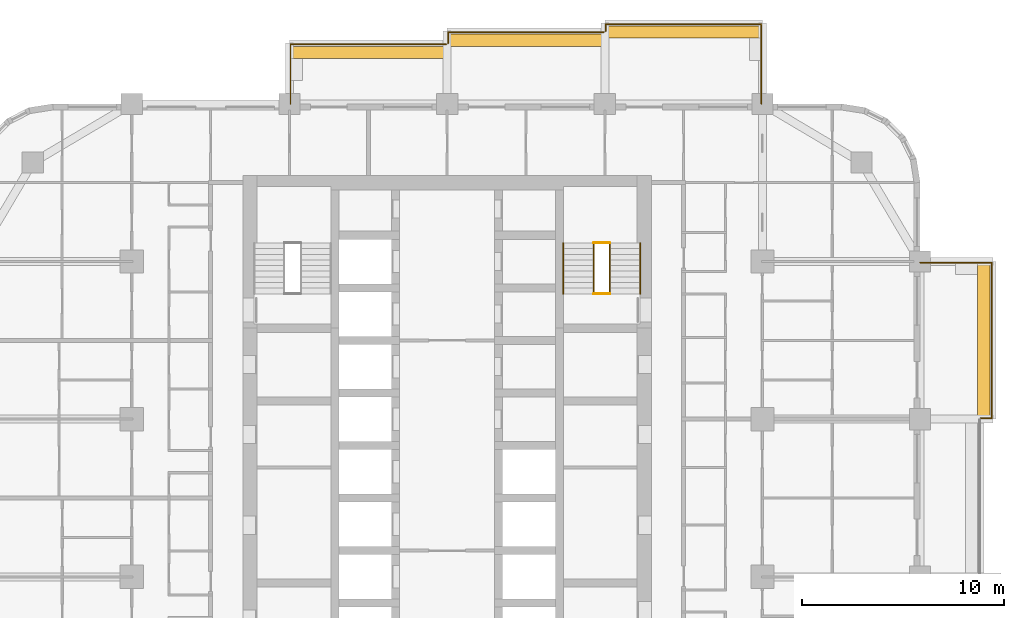
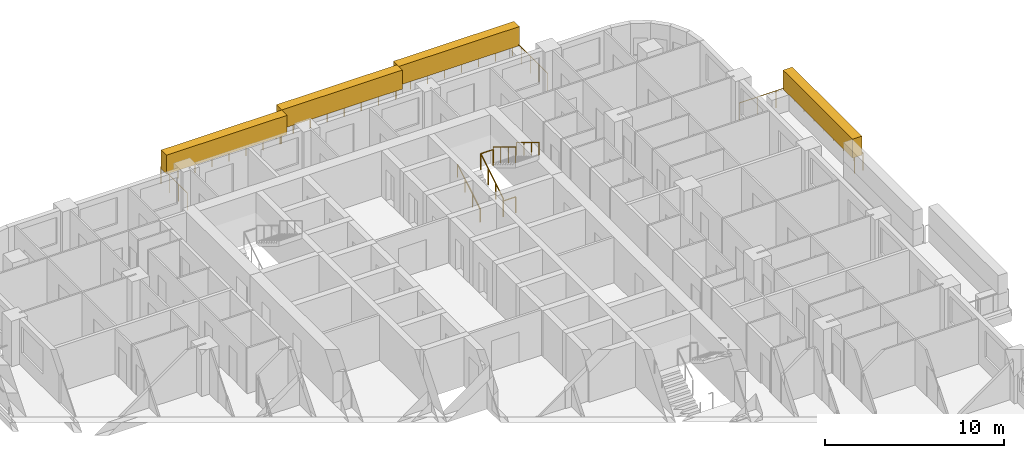
# One storey, part 17 of 17: 10 railings, 4 coverings, 1 element without a shape of its own.
"""IFC4 building model written with IfcOpenShell, lengths in metres."""

from ifc_helpers import new_model, si_unit, direction, frame, origin, origin_2d, place, context, subcontext, project, spatial, rectangle, circle, extrude, material, layer, layer_set, type_object, element, aggregate, save


model = new_model("IFC4")

# Units and contexts
model_context = context("Model", 3, precision=1e-05, world=origin(), true_north=direction((0.0, 1.0)))
body_context = subcontext(model_context, "Body", "Model", "MODEL_VIEW")
ifc_project = project(units=[si_unit("LENGTHUNIT", "METRE"), si_unit("AREAUNIT", "SQUARE_METRE"), si_unit("VOLUMEUNIT", "CUBIC_METRE"), si_unit("PLANEANGLEUNIT", "RADIAN"), si_unit("MASSUNIT", "GRAM", prefix="KILO")], contexts=[model_context])

# Site, building, storey
site_placement = place(None, origin())
site = spatial("IfcSite", under=ifc_project, at=site_placement, CompositionType="ELEMENT")
building_placement = place(site_placement, origin())
building = spatial("IfcBuilding", under=site, at=building_placement, Name="Ludao Terraces", CompositionType="ELEMENT")
storey_placement = place(building_placement, frame((0.0, 0.0, 43.300048828125)))
storey = spatial("IfcBuildingStorey", under=building, at=storey_placement, Name="L11", CompositionType="ELEMENT", Elevation=43.300048828125)

# Railings
ifc_material_1 = material(Name="Stainless steel 304", Category="steel")
railing_type_1 = type_object("IfcRailingType", Name="ENV Balcony glass guard 1200", PredefinedType="GUARDRAIL", material=ifc_material_1)
railing_1_placement = place(storey_placement, frame((111.39990234375, 72.85009765625, 0.0)))
element("IfcRailing", 1, at=railing_1_placement, inside=storey, type_object=railing_type_1, Name="Balcony guard L11 E4", PredefinedType="GUARDRAIL", context=body_context, shape_type="SweptSolid", body=[
    extrude(circle(Radius=0.02392578125, at=origin_2d()), frame((0.0, 0.0, 1.17578125), z_axis=(1.0, 0.0, 0.0), x_axis=(0.0, 1.0, 0.0)), (0.0, 0.0, 1.0), 0.550048828125),
    extrude(circle(Radius=0.02392578125, at=origin_2d()), frame((0.550048828125, 0.0, 1.17578125), z_axis=(0.0, 1.0, 0.0), x_axis=(-1.0, 0.0, 0.0)), (0.0, 0.0, 1.0), 7.699951171875),
    extrude(circle(Radius=0.02392578125, at=origin_2d()), frame((0.550048828125, 7.699951171875, 1.17578125), z_axis=(-1.0, 0.0, 0.0), x_axis=(0.0, -1.0, 0.0)), (0.0, 0.0, 1.0), 3.550048828125),
    extrude(circle(Radius=0.02099609375, at=origin_2d()), origin(), (0.0, 0.0, 1.0), 1.15185546875),
    extrude(circle(Radius=0.02099609375, at=origin_2d()), frame((0.550048828125, 0.0, 0.0)), (0.0, 0.0, 1.0), 1.15185546875),
    extrude(circle(Radius=0.02099609375, at=origin_2d()), frame((0.550048828125, 1.10009765625, 0.0)), (0.0, 0.0, 1.0), 1.15185546875),
    extrude(circle(Radius=0.02099609375, at=origin_2d()), frame((0.550048828125, 2.199951171875, 0.0)), (0.0, 0.0, 1.0), 1.15185546875),
    extrude(circle(Radius=0.02099609375, at=origin_2d()), frame((0.550048828125, 3.300048828125, 0.0)), (0.0, 0.0, 1.0), 1.15185546875),
    extrude(circle(Radius=0.02099609375, at=origin_2d()), frame((0.550048828125, 4.39990234375, 0.0)), (0.0, 0.0, 1.0), 1.15185546875),
    extrude(circle(Radius=0.02099609375, at=origin_2d()), frame((0.550048828125, 5.5, 0.0)), (0.0, 0.0, 1.0), 1.15185546875),
    extrude(circle(Radius=0.02099609375, at=origin_2d()), frame((0.550048828125, 6.599853515625, 0.0)), (0.0, 0.0, 1.0), 1.15185546875),
    extrude(circle(Radius=0.02099609375, at=origin_2d()), frame((0.550048828125, 7.699951171875, 0.0)), (0.0, 0.0, 1.0), 1.15185546875),
    extrude(circle(Radius=0.02099609375, at=origin_2d()), frame((-0.63330078125, 7.699951171875, 0.0)), (0.0, 0.0, 1.0), 1.15185546875),
    extrude(circle(Radius=0.02099609375, at=origin_2d()), frame((-1.816650390625, 7.699951171875, 0.0)), (0.0, 0.0, 1.0), 1.15185546875),
    extrude(circle(Radius=0.02099609375, at=origin_2d()), frame((-3.0, 7.699951171875, 0.0)), (0.0, 0.0, 1.0), 1.15185546875),
])
railing_2_placement = place(storey_placement, frame((77.25, 88.39990234375, 0.0)))
element("IfcRailing", 2, at=railing_2_placement, inside=storey, type_object=railing_type_1, Name="Balcony guard L11 N2", PredefinedType="GUARDRAIL", context=body_context, shape_type="SweptSolid", body=[
    extrude(circle(Radius=0.02392578125, at=origin_2d()), frame((0.0, 0.0, 1.17578125), z_axis=(0.0, 1.0, 0.0), x_axis=(-1.0, 0.0, 0.0)), (0.0, 0.0, 1.0), 2.9501953125),
    extrude(circle(Radius=0.02392578125, at=origin_2d()), frame((0.0, 2.9501953125, 1.17578125), z_axis=(1.0, 0.0, 0.0), x_axis=(0.0, 1.0, 0.0)), (0.0, 0.0, 1.0), 7.699951171875),
    extrude(circle(Radius=0.02099609375, at=origin_2d()), origin(), (0.0, 0.0, 1.0), 1.15185546875),
    extrude(circle(Radius=0.02099609375, at=origin_2d()), frame((0.0, 0.9833984375, 0.0)), (0.0, 0.0, 1.0), 1.15185546875),
    extrude(circle(Radius=0.02099609375, at=origin_2d()), frame((0.0, 1.966796875, 0.0)), (0.0, 0.0, 1.0), 1.15185546875),
    extrude(circle(Radius=0.02099609375, at=origin_2d()), frame((0.0, 2.9501953125, 0.0)), (0.0, 0.0, 1.0), 1.15185546875),
    extrude(circle(Radius=0.02099609375, at=origin_2d()), frame((1.10009765625, 2.9501953125, 0.0)), (0.0, 0.0, 1.0), 1.15185546875),
    extrude(circle(Radius=0.02099609375, at=origin_2d()), frame((2.199951171875, 2.9501953125, 0.0)), (0.0, 0.0, 1.0), 1.15185546875),
    extrude(circle(Radius=0.02099609375, at=origin_2d()), frame((3.300048828125, 2.9501953125, 0.0)), (0.0, 0.0, 1.0), 1.15185546875),
    extrude(circle(Radius=0.02099609375, at=origin_2d()), frame((4.39990234375, 2.9501953125, 0.0)), (0.0, 0.0, 1.0), 1.15185546875),
    extrude(circle(Radius=0.02099609375, at=origin_2d()), frame((5.5, 2.9501953125, 0.0)), (0.0, 0.0, 1.0), 1.15185546875),
    extrude(circle(Radius=0.02099609375, at=origin_2d()), frame((6.599853515625, 2.9501953125, 0.0)), (0.0, 0.0, 1.0), 1.15185546875),
    extrude(circle(Radius=0.02099609375, at=origin_2d()), frame((7.699951171875, 2.9501953125, 0.0)), (0.0, 0.0, 1.0), 1.15185546875),
])
railing_3_placement = place(storey_placement, frame((85.050048828125, 91.39990234375, 0.0)))
element("IfcRailing", 3, at=railing_3_placement, inside=storey, type_object=railing_type_1, Name="Balcony guard L11 N3", PredefinedType="GUARDRAIL", context=body_context, shape_type="SweptSolid", body=[
    extrude(circle(Radius=0.02392578125, at=origin_2d()), frame((0.0, 0.0, 1.17578125), z_axis=(0.0, 1.0, 0.0), x_axis=(-1.0, 0.0, 0.0)), (0.0, 0.0, 1.0), 0.550048828125),
    extrude(circle(Radius=0.02392578125, at=origin_2d()), frame((0.0, 0.550048828125, 1.17578125), z_axis=(1.0, 0.0, 0.0), x_axis=(0.0, 1.0, 0.0)), (0.0, 0.0, 1.0), 7.699951171875),
    extrude(circle(Radius=0.02099609375, at=origin_2d()), origin(), (0.0, 0.0, 1.0), 1.15185546875),
    extrude(circle(Radius=0.02099609375, at=origin_2d()), frame((0.0, 0.550048828125, 0.0)), (0.0, 0.0, 1.0), 1.15185546875),
    extrude(circle(Radius=0.02099609375, at=origin_2d()), frame((1.10009765625, 0.550048828125, 0.0)), (0.0, 0.0, 1.0), 1.15185546875),
    extrude(circle(Radius=0.02099609375, at=origin_2d()), frame((2.199951171875, 0.550048828125, 0.0)), (0.0, 0.0, 1.0), 1.15185546875),
    extrude(circle(Radius=0.02099609375, at=origin_2d()), frame((3.300048828125, 0.550048828125, 0.0)), (0.0, 0.0, 1.0), 1.15185546875),
    extrude(circle(Radius=0.02099609375, at=origin_2d()), frame((4.39990234375, 0.550048828125, 0.0)), (0.0, 0.0, 1.0), 1.15185546875),
    extrude(circle(Radius=0.02099609375, at=origin_2d()), frame((5.5, 0.550048828125, 0.0)), (0.0, 0.0, 1.0), 1.15185546875),
    extrude(circle(Radius=0.02099609375, at=origin_2d()), frame((6.599853515625, 0.550048828125, 0.0)), (0.0, 0.0, 1.0), 1.15185546875),
    extrude(circle(Radius=0.02099609375, at=origin_2d()), frame((7.699951171875, 0.550048828125, 0.0)), (0.0, 0.0, 1.0), 1.15185546875),
])
railing_4_placement = place(storey_placement, frame((92.85009765625, 92.0, 0.0)))
element("IfcRailing", 4, at=railing_4_placement, inside=storey, type_object=railing_type_1, Name="Balcony guard L11 N4", PredefinedType="GUARDRAIL", context=body_context, shape_type="SweptSolid", body=[
    extrude(circle(Radius=0.02392578125, at=origin_2d()), frame((0.0, 0.0, 1.17578125), z_axis=(0.0, 1.0, 0.0), x_axis=(-1.0, 0.0, 0.0)), (0.0, 0.0, 1.0), 0.35009765625),
    extrude(circle(Radius=0.02392578125, at=origin_2d()), frame((0.0, 0.35009765625, 1.17578125), z_axis=(1.0, 0.0, 0.0), x_axis=(0.0, 1.0, 0.0)), (0.0, 0.0, 1.0), 7.699951171875),
    extrude(circle(Radius=0.02392578125, at=origin_2d()), frame((7.699951171875, 0.35009765625, 1.17578125), z_axis=(0.0, -1.0, 0.0), x_axis=(1.0, 0.0, 0.0)), (0.0, 0.0, 1.0), 3.9501953125),
    extrude(circle(Radius=0.02099609375, at=origin_2d()), origin(), (0.0, 0.0, 1.0), 1.15185546875),
    extrude(circle(Radius=0.02099609375, at=origin_2d()), frame((0.0, 0.35009765625, 0.0)), (0.0, 0.0, 1.0), 1.15185546875),
    extrude(circle(Radius=0.02099609375, at=origin_2d()), frame((1.10009765625, 0.35009765625, 0.0)), (0.0, 0.0, 1.0), 1.15185546875),
    extrude(circle(Radius=0.02099609375, at=origin_2d()), frame((2.199951171875, 0.35009765625, 0.0)), (0.0, 0.0, 1.0), 1.15185546875),
    extrude(circle(Radius=0.02099609375, at=origin_2d()), frame((3.300048828125, 0.35009765625, 0.0)), (0.0, 0.0, 1.0), 1.15185546875),
    extrude(circle(Radius=0.02099609375, at=origin_2d()), frame((4.39990234375, 0.35009765625, 0.0)), (0.0, 0.0, 1.0), 1.15185546875),
    extrude(circle(Radius=0.02099609375, at=origin_2d()), frame((5.5, 0.35009765625, 0.0)), (0.0, 0.0, 1.0), 1.15185546875),
    extrude(circle(Radius=0.02099609375, at=origin_2d()), frame((6.599853515625, 0.35009765625, 0.0)), (0.0, 0.0, 1.0), 1.15185546875),
    extrude(circle(Radius=0.02099609375, at=origin_2d()), frame((7.699951171875, 0.35009765625, 0.0)), (0.0, 0.0, 1.0), 1.15185546875),
    extrude(circle(Radius=0.02099609375, at=origin_2d()), frame((7.699951171875, -0.637451171875, 0.0)), (0.0, 0.0, 1.0), 1.15185546875),
    extrude(circle(Radius=0.02099609375, at=origin_2d()), frame((7.699951171875, -1.625, 0.0)), (0.0, 0.0, 1.0), 1.15185546875),
    extrude(circle(Radius=0.02099609375, at=origin_2d()), frame((7.699951171875, -2.612548828125, 0.0)), (0.0, 0.0, 1.0), 1.15185546875),
    extrude(circle(Radius=0.02099609375, at=origin_2d()), frame((7.699951171875, -3.60009765625, 0.0)), (0.0, 0.0, 1.0), 1.15185546875),
])

# Coverings
ifc_material_2 = material(Name="Planting")
ifc_layer = layer(ifc_material_2, 0.60009765625)
ifc_layer_set = layer_set([ifc_layer], Name="ENV Planting hedge 600x1300")
covering_type = type_object("IfcCoveringType", Name="ENV Planting hedge 600x1300", PredefinedType="USERDEFINED", material=ifc_layer_set)
covering_placement = place(storey_placement, frame((111.550048828125, 76.699951171875, 1.10009765625), z_axis=(0.0, 0.0, 1.0), x_axis=(1.0, 0.0, 0.0)))
element("IfcCovering", 5, at=covering_placement, inside=storey, type_object=covering_type, Name="Planting hedge L11-E4", ObjectType="PLANTING", PredefinedType="USERDEFINED", context=body_context, shape_type="SweptSolid", body=[
    extrude(rectangle(XDim=0.60009765625, YDim=7.800048828125, at=origin_2d()), origin(), (0.0, 0.0, 1.0), 1.300048828125),
])
for number, where, z_axis, x_axis, name in (
    (6, (81.10009765625, 90.949951171875, 1.10009765625), (0.0, 0.0, 1.0), (1.0, 0.0, 0.0), "Planting hedge L11-N2"),
    (7, (88.89990234375, 91.550048828125, 1.10009765625), (0.0, 0.0, 1.0), (1.0, 0.0, 0.0), "Planting hedge L11-N3"),
    (8, (96.699951171875, 91.949951171875, 1.10009765625), (0.0, 0.0, 1.0), (1.0, 0.0, 0.0), "Planting hedge L11-N4"),
):
    element("IfcCovering", number, at=place(storey_placement, frame(where, z_axis=z_axis, x_axis=x_axis)), inside=storey, type_object=covering_type, Name=name, ObjectType="PLANTING", PredefinedType="USERDEFINED", context=body_context, shape_type="SweptSolid", body=[
        extrude(rectangle(XDim=7.800048828125, YDim=0.60009765625, at=origin_2d()), origin(), (0.0, 0.0, 1.0), 1.300048828125),
    ])

# Stair, railings
ifc_material_3 = material(Name="Concrete C40", Category="concrete")
stair_type = type_object("IfcStairType", Name="INT Stair", PredefinedType="HALF_TURN_STAIR", material=ifc_material_3)
stair_placement = place(storey_placement, origin())
stair = element("IfcStair", 9, at=stair_placement, inside=storey, type_object=stair_type, Name="EXIT STAIR 2", PredefinedType="HALF_TURN_STAIR")
railing_type_2 = type_object("IfcRailingType", Name="INT Stair guard 1100", PredefinedType="GUARDRAIL", material=ifc_material_1)
railing_5_placement = place(storey_placement, frame((92.25, 79.0, 0.169921875)))
railing_5 = element("IfcRailing", 10, at=railing_5_placement, type_object=railing_type_2, Name="ST-L11-S2-R1G", PredefinedType="GUARDRAIL", context=body_context, shape_type="SweptSolid", body=[
    extrude(circle(Radius=0.02392578125, at=origin_2d()), frame((0.0, 0.0, 1.076171875), z_axis=(0.0, 0.85478489116, 0.518982456201), x_axis=(-1.0, 0.0, 0.0)), (0.0, 0.0, 1.0), 2.9482421875),
    extrude(circle(Radius=0.02099609375, at=origin_2d()), origin(), (0.0, 0.0, 1.0), 1.052001953125),
    extrude(circle(Radius=0.02099609375, at=origin_2d()), frame((0.0, 0.840087890625, 0.510009765625)), (0.0, 0.0, 1.0), 1.052001953125),
    extrude(circle(Radius=0.02099609375, at=origin_2d()), frame((0.0, 1.679931640625, 1.02001953125)), (0.0, 0.0, 1.0), 1.052001953125),
    extrude(circle(Radius=0.02099609375, at=origin_2d()), frame((0.0, 2.52001953125, 1.530029296875)), (0.0, 0.0, 1.0), 1.052001953125),
])
railing_6_placement = place(storey_placement, frame((93.050048828125, 81.52001953125, 1.869873046875)))
railing_6 = element("IfcRailing", 11, at=railing_6_placement, type_object=railing_type_2, Name="ST-L11-S2-R2G", PredefinedType="GUARDRAIL", context=body_context, shape_type="SweptSolid", body=[
    extrude(circle(Radius=0.02392578125, at=origin_2d()), frame((0.0, 0.0, 1.076171875), z_axis=(0.0, -0.85478489116, 0.518982456201), x_axis=(1.0, 0.0, 0.0)), (0.0, 0.0, 1.0), 2.9482421875),
    extrude(circle(Radius=0.02099609375, at=origin_2d()), origin(), (0.0, 0.0, 1.0), 1.052001953125),
    extrude(circle(Radius=0.02099609375, at=origin_2d()), frame((0.0, -0.840087890625, 0.510009765625)), (0.0, 0.0, 1.0), 1.052001953125),
    extrude(circle(Radius=0.02099609375, at=origin_2d()), frame((0.0, -1.679931640625, 1.02001953125)), (0.0, 0.0, 1.0), 1.052001953125),
    extrude(circle(Radius=0.02099609375, at=origin_2d()), frame((0.0, -2.52001953125, 1.530029296875)), (0.0, 0.0, 1.0), 1.052001953125),
])
railing_7_placement = place(storey_placement, frame((92.25, 81.52001953125, 1.699951171875)))
railing_7 = element("IfcRailing", 12, at=railing_7_placement, type_object=railing_type_2, Name="ST-L11-S2-E1G", PredefinedType="GUARDRAIL", context=body_context, shape_type="SweptSolid", body=[
    extrude(circle(Radius=0.02392578125, at=origin_2d()), frame((0.0, 0.0, 1.076171875), z_axis=(1.0, 0.0, 0.0), x_axis=(0.0, 1.0, 0.0)), (0.0, 0.0, 1.0), 0.800048828125),
    extrude(circle(Radius=0.02099609375, at=origin_2d()), origin(), (0.0, 0.0, 1.0), 1.052001953125),
    extrude(circle(Radius=0.02099609375, at=origin_2d()), frame((0.800048828125, 0.0, 0.0)), (0.0, 0.0, 1.0), 1.052001953125),
])
railing_8_placement = place(storey_placement, frame((92.25, 79.0, 0.0)))
railing_8 = element("IfcRailing", 13, at=railing_8_placement, type_object=railing_type_2, Name="ST-L11-S2-E2G", PredefinedType="GUARDRAIL", context=body_context, shape_type="SweptSolid", body=[
    extrude(circle(Radius=0.02392578125, at=origin_2d()), frame((0.0, 0.0, 1.076171875), z_axis=(1.0, 0.0, 0.0), x_axis=(0.0, 1.0, 0.0)), (0.0, 0.0, 1.0), 0.800048828125),
    extrude(circle(Radius=0.02099609375, at=origin_2d()), origin(), (0.0, 0.0, 1.0), 1.052001953125),
    extrude(circle(Radius=0.02099609375, at=origin_2d()), frame((0.800048828125, 0.0, 0.0)), (0.0, 0.0, 1.0), 1.052001953125),
])
railing_type_3 = type_object("IfcRailingType", Name="INT Stair handrail 900", PredefinedType="HANDRAIL", material=ifc_material_1)
railing_9_placement = place(storey_placement, frame((90.75, 79.0, 0.169921875)))
railing_9 = element("IfcRailing", 14, at=railing_9_placement, type_object=railing_type_3, Name="ST-L11-S2-R1H", PredefinedType="HANDRAIL", context=body_context, shape_type="SweptSolid", body=[
    extrude(circle(Radius=0.02392578125, at=origin_2d()), frame((0.0, 0.0, 0.8759765625), z_axis=(0.0, 0.85478489116, 0.518982456201), x_axis=(-1.0, 0.0, 0.0)), (0.0, 0.0, 1.0), 2.9482421875),
    extrude(circle(Radius=0.02099609375, at=origin_2d()), origin(), (0.0, 0.0, 1.0), 0.851806640625),
    extrude(circle(Radius=0.02099609375, at=origin_2d()), frame((0.0, 0.840087890625, 0.510009765625)), (0.0, 0.0, 1.0), 0.851806640625),
    extrude(circle(Radius=0.02099609375, at=origin_2d()), frame((0.0, 1.679931640625, 1.02001953125)), (0.0, 0.0, 1.0), 0.851806640625),
    extrude(circle(Radius=0.02099609375, at=origin_2d()), frame((0.0, 2.52001953125, 1.530029296875)), (0.0, 0.0, 1.0), 0.851806640625),
])
railing_10_placement = place(storey_placement, frame((94.550048828125, 81.52001953125, 1.869873046875)))
railing_10 = element("IfcRailing", 15, at=railing_10_placement, type_object=railing_type_3, Name="ST-L11-S2-R2H", PredefinedType="HANDRAIL", context=body_context, shape_type="SweptSolid", body=[
    extrude(circle(Radius=0.02392578125, at=origin_2d()), frame((0.0, 0.0, 0.8759765625), z_axis=(0.0, -0.85478489116, 0.518982456201), x_axis=(1.0, 0.0, 0.0)), (0.0, 0.0, 1.0), 2.9482421875),
    extrude(circle(Radius=0.02099609375, at=origin_2d()), origin(), (0.0, 0.0, 1.0), 0.851806640625),
    extrude(circle(Radius=0.02099609375, at=origin_2d()), frame((0.0, -0.840087890625, 0.510009765625)), (0.0, 0.0, 1.0), 0.851806640625),
    extrude(circle(Radius=0.02099609375, at=origin_2d()), frame((0.0, -1.679931640625, 1.02001953125)), (0.0, 0.0, 1.0), 0.851806640625),
    extrude(circle(Radius=0.02099609375, at=origin_2d()), frame((0.0, -2.52001953125, 1.530029296875)), (0.0, 0.0, 1.0), 0.851806640625),
])
aggregate(stair, [railing_5, railing_9, railing_6, railing_10, railing_7, railing_8])

save(model, "model.ifc")
